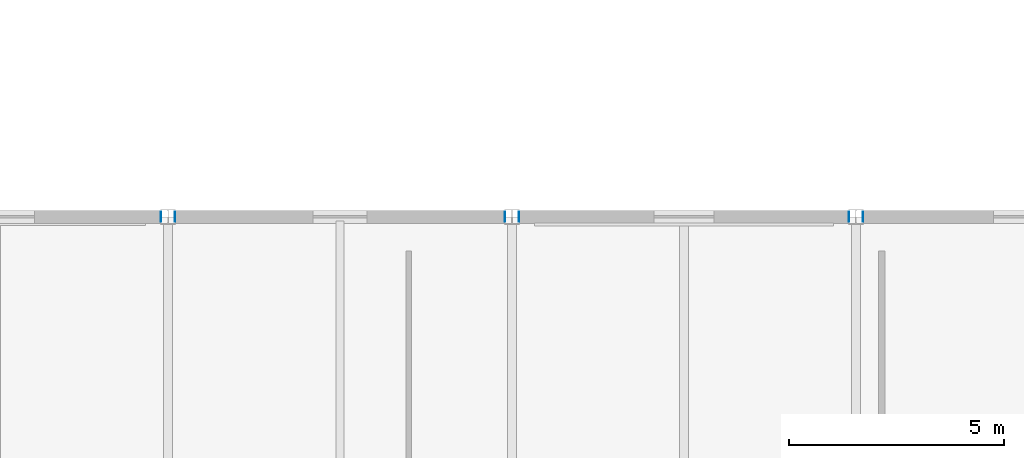
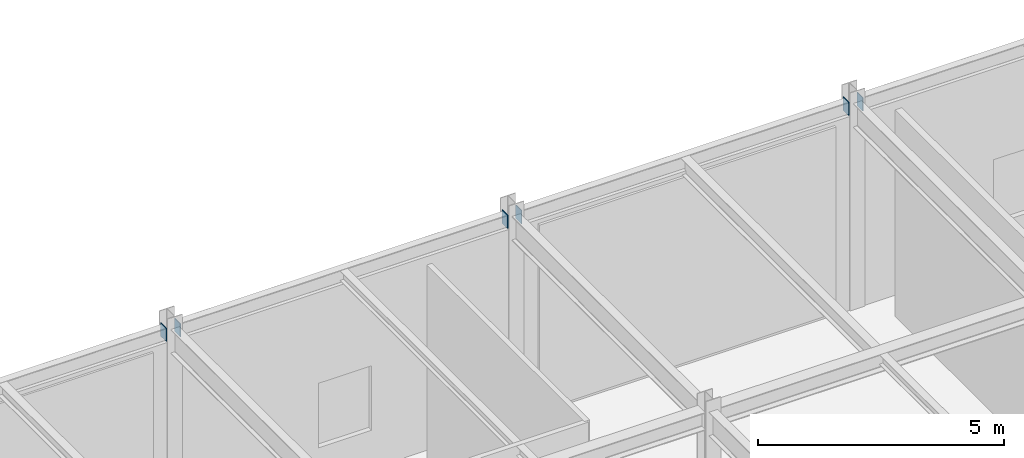
# One storey, part 158 of 184: 6 plates.
"""IFC4 building model written with IfcOpenShell, lengths in metres."""

from ifc_helpers import new_model, si_unit, direction, frame, origin, origin_2d, place, context, subcontext, project, spatial, rectangle, extrude, material, layer, layer_set, type_object, element, save


model = new_model("IFC4")

# Units and contexts
model_context = context("Model", 3, precision=1e-05, world=origin(), true_north=direction((0.0, 1.0)))
body_context = subcontext(model_context, "Body", "Model", "MODEL_VIEW")
ifc_project = project(units=[si_unit("LENGTHUNIT", "METRE"), si_unit("AREAUNIT", "SQUARE_METRE"), si_unit("VOLUMEUNIT", "CUBIC_METRE"), si_unit("PLANEANGLEUNIT", "RADIAN"), si_unit("MASSUNIT", "GRAM", prefix="KILO")], contexts=[model_context])

# Site, building, storey
site_placement = place(None, origin())
site = spatial("IfcSite", under=ifc_project, at=site_placement, CompositionType="ELEMENT")
building_placement = place(site_placement, origin())
building = spatial("IfcBuilding", under=site, at=building_placement, Name="Zhaolan Boulevard Law Courts", CompositionType="ELEMENT")
storey_placement = place(building_placement, frame((0.0, 0.0, 5.39990234375)))
storey = spatial("IfcBuildingStorey", under=building, at=storey_placement, Name="L01", CompositionType="ELEMENT", Elevation=5.39990234375)

# Plates
ifc_material = material(Name="Structural steel Q355B", Category="steel")
ifc_layer = layer(ifc_material, 0.02001953125)
ifc_layer_set = layer_set([ifc_layer])
plate_type = type_object("IfcPlateType", Name="END CAP PLATE 20", PredefinedType="SHEET", material=ifc_layer_set)
for number, where, z_axis, x_axis, name in (
    (1, (131.8369140625, 94.0, 4.802978515625), (0.0, 0.0, 1.0), (1.0, 0.0, 0.0), "Hollow Section End-Cap Plate ECP-0844"),
    (2, (132.1630859375, 94.0, 4.802978515625), (0.0, 0.0, 1.0), (1.0, 0.0, 0.0), "Hollow Section End-Cap Plate ECP-0845"),
    (3, (139.8369140625, 94.0, 4.802978515625), (0.0, 0.0, 1.0), (1.0, 0.0, 0.0), "Hollow Section End-Cap Plate ECP-0846"),
    (4, (140.1630859375, 94.0, 4.802978515625), (0.0, 0.0, 1.0), (1.0, 0.0, 0.0), "Hollow Section End-Cap Plate ECP-0847"),
    (5, (147.8369140625, 94.0, 4.802978515625), (0.0, 0.0, 1.0), (1.0, 0.0, 0.0), "Hollow Section End-Cap Plate ECP-0848"),
    (6, (148.1630859375, 94.0, 4.802978515625), (0.0, 0.0, 1.0), (1.0, 0.0, 0.0), "Hollow Section End-Cap Plate ECP-0849"),
):
    element("IfcPlate", number, at=place(storey_placement, frame(where, z_axis=z_axis, x_axis=x_axis)), inside=storey, type_object=plate_type, Name=name, PredefinedType="SHEET", context=body_context, shape_type="SweptSolid", body=[
        extrude(rectangle(XDim=0.02001953125, YDim=0.22998046875, at=origin_2d()), origin(), (0.0, 0.0, 1.0), 0.330078125),
    ])

save(model, "model.ifc")
